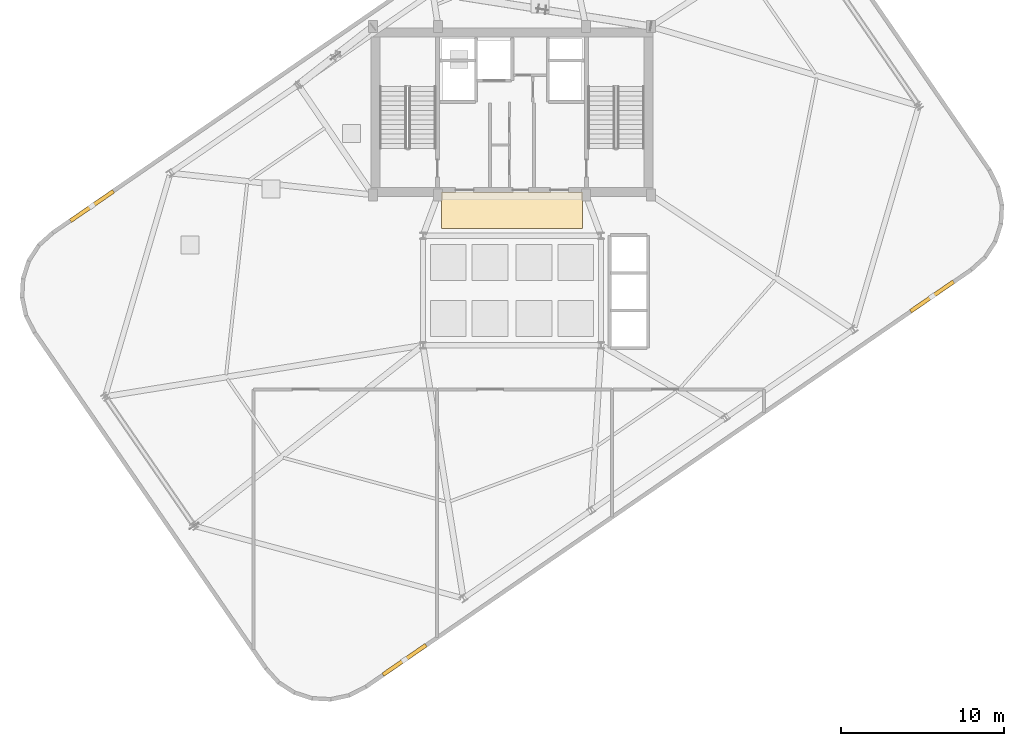
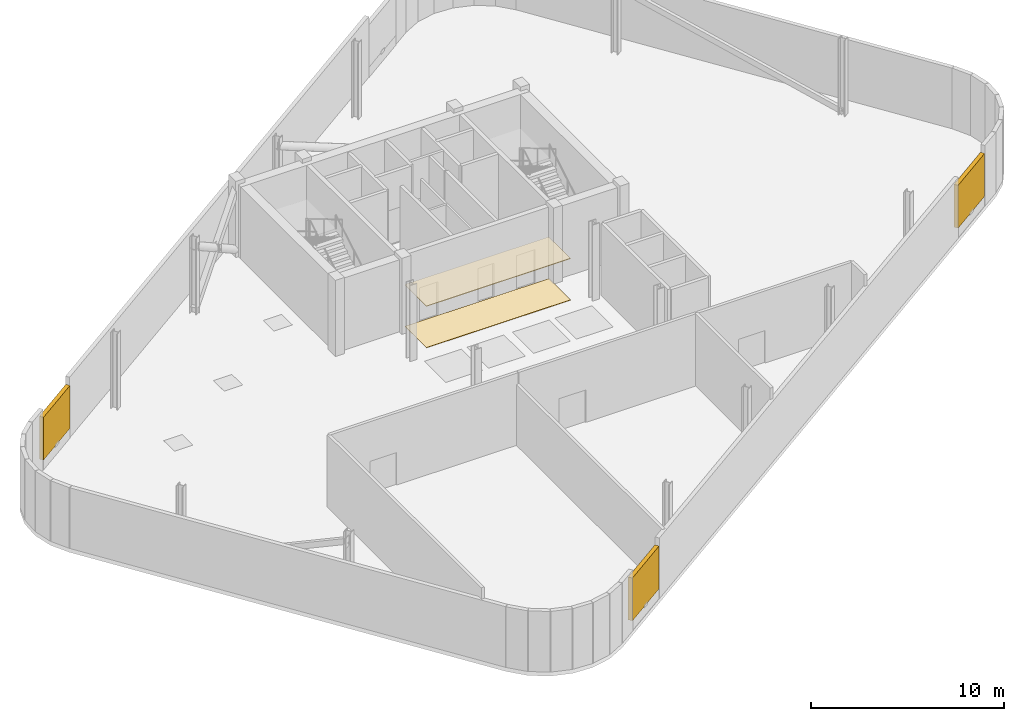
# One storey, part 8 of 9: 3 shading devices, 2 coverings.
"""IFC4 building model written with IfcOpenShell, lengths in metres."""

from ifc_helpers import new_model, si_unit, direction, frame, origin, origin_2d, place, context, subcontext, project, spatial, rectangle, extrude, source, transform, mapped, material, layer, layer_set, type_object, element, save


model = new_model("IFC4")

# Units and contexts
model_context = context("Model", 3, precision=1e-05, world=origin(), true_north=direction((0.0, 1.0)))
body_context = subcontext(model_context, "Body", "Model", "MODEL_VIEW")
ifc_project = project(units=[si_unit("LENGTHUNIT", "METRE"), si_unit("AREAUNIT", "SQUARE_METRE"), si_unit("VOLUMEUNIT", "CUBIC_METRE"), si_unit("PLANEANGLEUNIT", "RADIAN"), si_unit("MASSUNIT", "GRAM", prefix="KILO")], contexts=[model_context])

# Site, building, storey
site_placement = place(None, origin())
site = spatial("IfcSite", under=ifc_project, at=site_placement, CompositionType="ELEMENT")
building_placement = place(site_placement, origin())
building = spatial("IfcBuilding", under=site, at=building_placement, Name="Varnelok Gate Tower", CompositionType="ELEMENT")
storey_placement = place(building_placement, frame((0.0, 0.0, 301.10009765625)))
storey = spatial("IfcBuildingStorey", under=building, at=storey_placement, Name="L77", CompositionType="ELEMENT", Elevation=301.10009765625)

# Shading devices
ifc_material_1 = material(Name="Anodized Aluminum Alloy 6063-T6", Category="aluminium")
shading_device_type = type_object("IfcShadingDeviceType", Name="SHD-PLANT-LOUVRE", PredefinedType="JALOUSIE", material=ifc_material_1)
shared_shape_1 = source(origin(), body_context, "Body", "SweptSolid", [
    extrude(rectangle(XDim=3.199951171875, YDim=0.239990234375, at=origin_2d()), origin(), (0.0, 0.0, 1.0), 2.699951171875),
])
for number, where, z_axis, x_axis, name in (
    (1, (32.622802734375, 0.296875, 0.6201171875), (0.0, 0.0, 1.0), (0.823532597628, 0.567268949127, 0.0), "L77 Acoustic Plant Louvre Screen S1"),
    (2, (64.905517578125, 22.53369140625, 0.6201171875), (0.0, 0.0, 1.0), (0.823532597628, 0.567268949127, 0.0), "L77 Acoustic Plant Louvre Screen S2"),
    (3, (13.49462890625, 28.06640625, 0.6201171875), (0.0, 0.0, 1.0), (0.823532597628, 0.567268949127, 0.0), "L77 Acoustic Plant Louvre Screen N1"),
):
    element("IfcShadingDevice", number, at=place(storey_placement, frame(where, z_axis=z_axis, x_axis=x_axis)), inside=storey, type_object=shading_device_type, Name=name, PredefinedType="JALOUSIE", context=body_context, shape_type="MappedRepresentation", body=[
        mapped(shared_shape_1, transform((0.0, 0.0, 0.0), scale=1.0)),
    ])

# Coverings
ifc_material_2 = material(Name="Honed Travertine Stone Flooring", Category="masonry")
ifc_layer_1 = layer(ifc_material_2, 0.02490234375)
ifc_layer_set_1 = layer_set([ifc_layer_1], Name="Honed Travertine Stone Flooring")
covering_type_1 = type_object("IfcCoveringType", Name="COV-FLOR-STONE", PredefinedType="FLOORING", material=ifc_layer_set_1)
shared_shape_2 = source(origin(), body_context, "Body", "SweptSolid", [
    extrude(rectangle(XDim=8.60009765625, YDim=2.219970703125, at=origin_2d()), origin(), (0.0, 0.0, 1.0), 0.02490234375),
])
covering_1_placement = place(storey_placement, frame((39.199951171875, 27.800048828125, 0.0), z_axis=(0.0, 0.0, 1.0), x_axis=(1.0, 0.0, 0.0)))
element("IfcCovering", 4, at=covering_1_placement, inside=storey, type_object=covering_type_1, Name="L77 Core Gallery Stone Flooring", PredefinedType="FLOORING", context=body_context, shape_type="MappedRepresentation", body=[
    mapped(shared_shape_2, transform((0.0, 0.0, 0.0), scale=1.0)),
])
ifc_material_3 = material(Name="Mineral Fiber Acoustic Ceiling Tile")
ifc_layer_2 = layer(ifc_material_3, 0.0400390625)
ifc_layer_set_2 = layer_set([ifc_layer_2], Name="Mineral Fiber Acoustic Ceiling Tile")
covering_type_2 = type_object("IfcCoveringType", Name="COV-CEIL-ACOUST", PredefinedType="CEILING", material=ifc_layer_set_2)
shared_shape_3 = source(origin(), body_context, "Body", "SweptSolid", [
    extrude(rectangle(XDim=8.60009765625, YDim=2.239990234375, at=origin_2d()), origin(), (0.0, 0.0, 1.0), 0.0400390625),
])
covering_2_placement = place(storey_placement, frame((39.199951171875, 27.820068359375, 2.599853515625), z_axis=(0.0, 0.0, 1.0), x_axis=(1.0, 0.0, 0.0)))
element("IfcCovering", 5, at=covering_2_placement, inside=storey, type_object=covering_type_2, Name="L77 Core Gallery Acoustic Ceiling", PredefinedType="CEILING", context=body_context, shape_type="MappedRepresentation", body=[
    mapped(shared_shape_3, transform((0.0, 0.0, 0.0), scale=1.0)),
])

save(model, "model.ifc")
